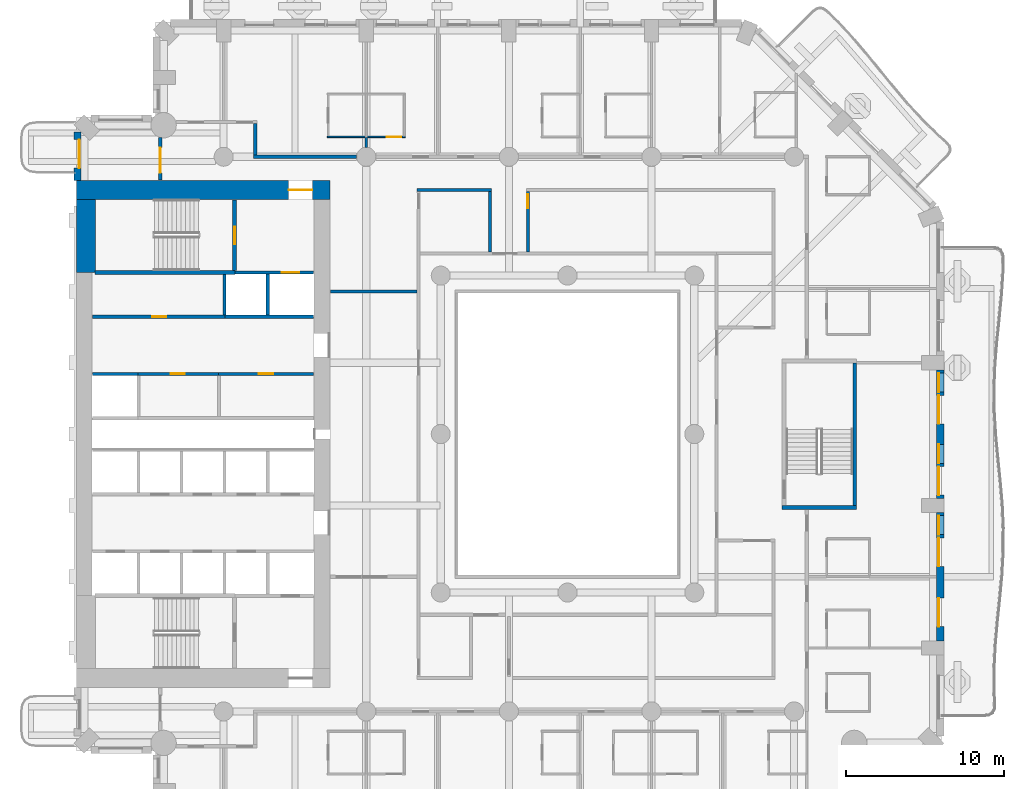
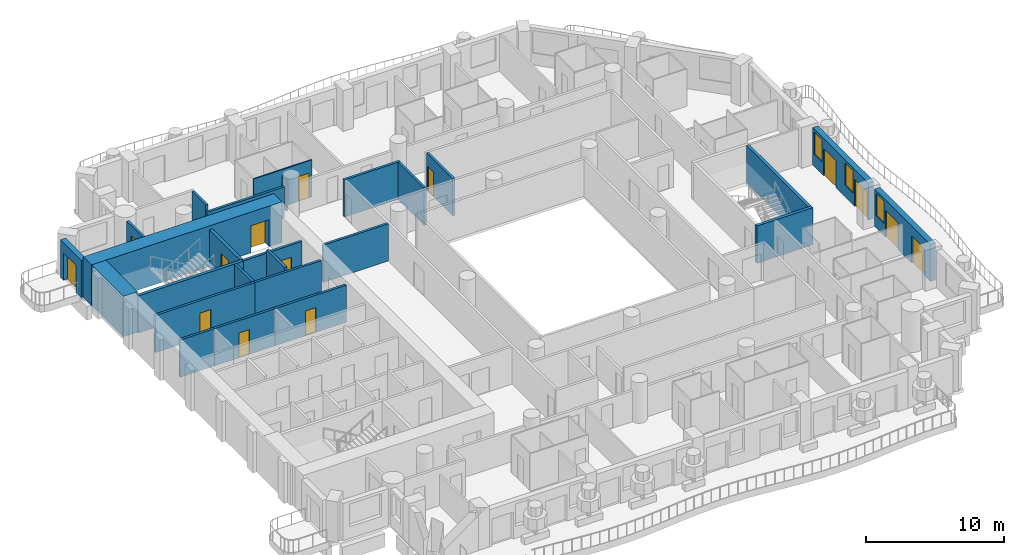
# One storey, part 7 of 20: 26 walls, 14 doors, 3 windows, 17 openings.
"""IFC4 building model written with IfcOpenShell, lengths in metres."""

from ifc_helpers import new_model, si_unit, direction, frame, frame_2d, origin, place, context, subcontext, project, spatial, rectangle, extrude, material, layer, layer_set, type_object, element, fill, save


model = new_model("IFC4")

# Units and contexts
model_context = context("Model", 3, precision=1e-05, world=origin(), true_north=direction((0.0, 1.0)))
body_context = subcontext(model_context, "Body", "Model", "MODEL_VIEW")
ifc_project = project(units=[si_unit("LENGTHUNIT", "METRE"), si_unit("AREAUNIT", "SQUARE_METRE"), si_unit("VOLUMEUNIT", "CUBIC_METRE"), si_unit("PLANEANGLEUNIT", "RADIAN"), si_unit("MASSUNIT", "GRAM", prefix="KILO")], contexts=[model_context])

# Site, building, storey
site_placement = place(None, origin())
site = spatial("IfcSite", under=ifc_project, at=site_placement, CompositionType="ELEMENT")
building_placement = place(site_placement, origin())
building = spatial("IfcBuilding", under=site, at=building_placement, Name="Cypress Arch Tower", CompositionType="ELEMENT")
storey_placement = place(building_placement, frame((0.0, 0.0, 62.699951171875)))
storey = spatial("IfcBuildingStorey", under=building, at=storey_placement, Name="L09", CompositionType="ELEMENT", Elevation=62.699951171875)

# Wall, opening, door
ifc_material_1 = material(Name="Brick (red buff blend)", Category="masonry")
ifc_layer_1 = layer(ifc_material_1, 0.449951171875)
ifc_layer_set_1 = layer_set([ifc_layer_1], Name="Brick pier and spandrel wall BW450")
wall_type_1 = type_object("IfcWallType", Name="Brick pier and spandrel wall BW450", PredefinedType="SOLIDWALL", material=ifc_layer_set_1)
wall_1_placement = place(storey_placement, frame((-29.925048828125, 19.063720703125, 0.0), z_axis=(0.0, 0.0, 1.0), x_axis=(0.0, -1.0, 0.0)))
wall_1 = element("IfcWall", 1, at=wall_1_placement, inside=storey, type_object=wall_type_1, Name="Brick wall L09 A00.0", PredefinedType="SOLIDWALL", context=body_context, shape_type="SweptSolid", body=[
    extrude(rectangle(XDim=3.063720703125, YDim=0.449951171875, at=frame_2d((1.53173828125, 0.0))), origin(), (0.0, 0.0, 1.0), 3.300048828125),
])
opening_1_placement = place(wall_1_placement, frame((0.481689453125, 0.0, 0.0)))
opening_1 = element("IfcOpeningElement", 2, at=opening_1_placement, cuts=wall_1, Name="Opening D-L09-A00.0.1", PredefinedType="OPENING", context=body_context, shape_type="SweptSolid", body=[
    extrude(rectangle(XDim=1.800048828125, YDim=2.39990234375, at=frame_2d((0.89990234375, 1.199951171875))), frame((0.0, 0.23486328125, 0.0), z_axis=(0.0, -1.0, 0.0), x_axis=(1.0, 0.0, 0.0)), (0.0, 0.0, 1.0), 0.469970703125),
])
ifc_material_2 = material(Name="Anodised aluminium, bronze finish, laminated low-emissivity double glazing, large-missile impact rated", Category="aluminium")
door_type_1 = type_object("IfcDoorType", Name="Balcony sliding door 1800x2400", OperationType="SLIDING_TO_LEFT", PredefinedType="DOOR", material=ifc_material_2)
door_1_placement = place(opening_1_placement, origin())
door_1 = element("IfcDoor", 3, at=door_1_placement, inside=storey, type_object=door_type_1, Name="Balcony door L09 A00.0.1", OperationType="SLIDING_TO_LEFT", OverallHeight=2.39990234375, OverallWidth=1.800048828125, PredefinedType="DOOR", context=body_context, shape_type="SweptSolid", body=[
    extrude(rectangle(XDim=1.800048828125, YDim=2.39990234375, at=frame_2d((0.89990234375, 1.199951171875))), frame((0.0, 0.1298828125, 0.0), z_axis=(0.0, -1.0, 0.0), x_axis=(1.0, 0.0, 0.0)), (0.0, 0.0, 1.0), 0.050048828125),
])
fill(opening_1, door_1)

# Wall, openings, doors, window
wall_2_placement = place(storey_placement, frame((24.52490234375, -13.050048828125, 0.0), z_axis=(0.0, 0.0, 1.0), x_axis=(0.0, 1.0, 0.0)))
wall_2 = element("IfcWall", 4, at=wall_2_placement, inside=storey, type_object=wall_type_1, Name="Brick wall L09 A06.1", PredefinedType="SOLIDWALL", context=body_context, shape_type="SweptSolid", body=[
    extrude(rectangle(XDim=8.10009765625, YDim=0.449951171875, at=frame_2d((4.050048828125, 0.0))), origin(), (0.0, 0.0, 1.0), 3.300048828125),
])
opening_2_placement = place(wall_2_placement, frame((0.89990234375, 0.0, 0.0)))
opening_2 = element("IfcOpeningElement", 5, at=opening_2_placement, cuts=wall_2, Name="Opening D-L09-A06.1.1", PredefinedType="OPENING", context=body_context, shape_type="SweptSolid", body=[
    extrude(rectangle(XDim=1.800048828125, YDim=2.39990234375, at=frame_2d((0.89990234375, 1.199951171875))), frame((0.0, 0.23486328125, 0.0), z_axis=(0.0, -1.0, 0.0), x_axis=(1.0, 0.0, 0.0)), (0.0, 0.0, 1.0), 0.469970703125),
])
opening_3_placement = place(wall_2_placement, frame((4.699951171875, 0.0, 0.0)))
opening_3 = element("IfcOpeningElement", 6, at=opening_3_placement, cuts=wall_2, Name="Opening D-L09-A06.1.2", PredefinedType="OPENING", context=body_context, shape_type="SweptSolid", body=[
    extrude(rectangle(XDim=1.800048828125, YDim=2.39990234375, at=frame_2d((0.89990234375, 1.199951171875))), frame((0.0, 0.23486328125, 0.0), z_axis=(0.0, -1.0, 0.0), x_axis=(1.0, 0.0, 0.0)), (0.0, 0.0, 1.0), 0.469970703125),
])
opening_4_placement = place(wall_2_placement, frame((6.699951171875, 0.0, 1.050048828125)))
opening_4 = element("IfcOpeningElement", 7, at=opening_4_placement, cuts=wall_2, Name="Opening W120HD", PredefinedType="OPENING", context=body_context, shape_type="SweptSolid", body=[
    extrude(rectangle(XDim=1.199951171875, YDim=2.0, at=frame_2d((0.60009765625, 1.0))), frame((0.0, 0.23486328125, 0.0), z_axis=(0.0, -1.0, 0.0), x_axis=(1.0, 0.0, 0.0)), (0.0, 0.0, 1.0), 0.469970703125),
])
door_2_placement = place(opening_2_placement, origin())
door_2 = element("IfcDoor", 8, at=door_2_placement, inside=storey, type_object=door_type_1, Name="Balcony door L09 A06.1.1", OperationType="SLIDING_TO_LEFT", OverallHeight=2.39990234375, OverallWidth=1.800048828125, PredefinedType="DOOR", context=body_context, shape_type="SweptSolid", body=[
    extrude(rectangle(XDim=1.800048828125, YDim=2.39990234375, at=frame_2d((0.89990234375, 1.199951171875))), frame((0.0, 0.1298828125, 0.0), z_axis=(0.0, -1.0, 0.0), x_axis=(1.0, 0.0, 0.0)), (0.0, 0.0, 1.0), 0.050048828125),
])
fill(opening_2, door_2)
door_3_placement = place(opening_3_placement, origin())
door_3 = element("IfcDoor", 9, at=door_3_placement, inside=storey, type_object=door_type_1, Name="Balcony door L09 A06.1.2", OperationType="SLIDING_TO_LEFT", OverallHeight=2.39990234375, OverallWidth=1.800048828125, PredefinedType="DOOR", context=body_context, shape_type="SweptSolid", body=[
    extrude(rectangle(XDim=1.800048828125, YDim=2.39990234375, at=frame_2d((0.89990234375, 1.199951171875))), frame((0.0, 0.1298828125, 0.0), z_axis=(0.0, -1.0, 0.0), x_axis=(1.0, 0.0, 0.0)), (0.0, 0.0, 1.0), 0.050048828125),
])
fill(opening_3, door_3)
ifc_material_3 = material(Name="Anodised aluminium, bronze finish, laminated low-emissivity double glazing, large-missile impact rated", Category="aluminium")
window_type = type_object("IfcWindowType", Name="Window Hotel 1200x2000 debris-rated", PartitioningType="SINGLE_PANEL", PredefinedType="WINDOW", material=ifc_material_3)
window_1_placement = place(opening_4_placement, origin())
window_1 = element("IfcWindow", 10, at=window_1_placement, inside=storey, type_object=window_type, Name="Window L09 A06.1.2", OverallHeight=2.0, OverallWidth=1.199951171875, PartitioningType="SINGLE_PANEL", PredefinedType="WINDOW", context=body_context, shape_type="SweptSolid", body=[
    extrude(rectangle(XDim=1.199951171875, YDim=2.0, at=frame_2d((0.60009765625, 1.0))), frame((0.0, 0.135009765625, 0.0), z_axis=(0.0, -1.0, 0.0), x_axis=(1.0, 0.0, 0.0)), (0.0, 0.0, 1.0), 0.06005859375),
])
fill(opening_4, window_1)

# Wall, openings, doors, windows
wall_3_placement = place(storey_placement, frame((24.52490234375, -4.050048828125, 0.0), z_axis=(0.0, 0.0, 1.0), x_axis=(0.0, 1.0, 0.0)))
wall_3 = element("IfcWall", 11, at=wall_3_placement, inside=storey, type_object=wall_type_1, Name="Brick wall L09 A06.2", PredefinedType="SOLIDWALL", context=body_context, shape_type="SweptSolid", body=[
    extrude(rectangle(XDim=8.10009765625, YDim=0.449951171875, at=frame_2d((4.050048828125, 0.0))), origin(), (0.0, 0.0, 1.0), 3.300048828125),
])
opening_5_placement = place(wall_3_placement, frame((0.199951171875, 0.0, 0.0)))
opening_5 = element("IfcOpeningElement", 12, at=opening_5_placement, cuts=wall_3, Name="Opening D-L09-A06.2.1", PredefinedType="OPENING", context=body_context, shape_type="SweptSolid", body=[
    extrude(rectangle(XDim=1.800048828125, YDim=2.39990234375, at=frame_2d((0.89990234375, 1.199951171875))), frame((0.0, 0.23486328125, 0.0), z_axis=(0.0, -1.0, 0.0), x_axis=(1.0, 0.0, 0.0)), (0.0, 0.0, 1.0), 0.469970703125),
])
opening_6_placement = place(wall_3_placement, frame((2.199951171875, 0.0, 1.050048828125)))
opening_6 = element("IfcOpeningElement", 13, at=opening_6_placement, cuts=wall_3, Name="Opening W120HD", PredefinedType="OPENING", context=body_context, shape_type="SweptSolid", body=[
    extrude(rectangle(XDim=1.199951171875, YDim=2.0, at=frame_2d((0.60009765625, 1.0))), frame((0.0, 0.23486328125, 0.0), z_axis=(0.0, -1.0, 0.0), x_axis=(1.0, 0.0, 0.0)), (0.0, 0.0, 1.0), 0.469970703125),
])
opening_7_placement = place(wall_3_placement, frame((4.699951171875, 0.0, 0.0)))
opening_7 = element("IfcOpeningElement", 14, at=opening_7_placement, cuts=wall_3, Name="Opening D-L09-A06.2.2", PredefinedType="OPENING", context=body_context, shape_type="SweptSolid", body=[
    extrude(rectangle(XDim=1.800048828125, YDim=2.39990234375, at=frame_2d((0.89990234375, 1.199951171875))), frame((0.0, 0.23486328125, 0.0), z_axis=(0.0, -1.0, 0.0), x_axis=(1.0, 0.0, 0.0)), (0.0, 0.0, 1.0), 0.469970703125),
])
opening_8_placement = place(wall_3_placement, frame((6.699951171875, 0.0, 1.050048828125)))
opening_8 = element("IfcOpeningElement", 15, at=opening_8_placement, cuts=wall_3, Name="Opening W120HD", PredefinedType="OPENING", context=body_context, shape_type="SweptSolid", body=[
    extrude(rectangle(XDim=1.199951171875, YDim=2.0, at=frame_2d((0.60009765625, 1.0))), frame((0.0, 0.23486328125, 0.0), z_axis=(0.0, -1.0, 0.0), x_axis=(1.0, 0.0, 0.0)), (0.0, 0.0, 1.0), 0.469970703125),
])
door_4_placement = place(opening_5_placement, origin())
door_4 = element("IfcDoor", 16, at=door_4_placement, inside=storey, type_object=door_type_1, Name="Balcony door L09 A06.2.1", OperationType="SLIDING_TO_LEFT", OverallHeight=2.39990234375, OverallWidth=1.800048828125, PredefinedType="DOOR", context=body_context, shape_type="SweptSolid", body=[
    extrude(rectangle(XDim=1.800048828125, YDim=2.39990234375, at=frame_2d((0.89990234375, 1.199951171875))), frame((0.0, 0.1298828125, 0.0), z_axis=(0.0, -1.0, 0.0), x_axis=(1.0, 0.0, 0.0)), (0.0, 0.0, 1.0), 0.050048828125),
])
fill(opening_5, door_4)
door_5_placement = place(opening_7_placement, origin())
door_5 = element("IfcDoor", 17, at=door_5_placement, inside=storey, type_object=door_type_1, Name="Balcony door L09 A06.2.2", OperationType="SLIDING_TO_LEFT", OverallHeight=2.39990234375, OverallWidth=1.800048828125, PredefinedType="DOOR", context=body_context, shape_type="SweptSolid", body=[
    extrude(rectangle(XDim=1.800048828125, YDim=2.39990234375, at=frame_2d((0.89990234375, 1.199951171875))), frame((0.0, 0.1298828125, 0.0), z_axis=(0.0, -1.0, 0.0), x_axis=(1.0, 0.0, 0.0)), (0.0, 0.0, 1.0), 0.050048828125),
])
fill(opening_7, door_5)
window_2_placement = place(opening_6_placement, origin())
window_2 = element("IfcWindow", 18, at=window_2_placement, inside=storey, type_object=window_type, Name="Window L09 A06.2.1", OverallHeight=2.0, OverallWidth=1.199951171875, PartitioningType="SINGLE_PANEL", PredefinedType="WINDOW", context=body_context, shape_type="SweptSolid", body=[
    extrude(rectangle(XDim=1.199951171875, YDim=2.0, at=frame_2d((0.60009765625, 1.0))), frame((0.0, 0.135009765625, 0.0), z_axis=(0.0, -1.0, 0.0), x_axis=(1.0, 0.0, 0.0)), (0.0, 0.0, 1.0), 0.06005859375),
])
fill(opening_6, window_2)
window_3_placement = place(opening_8_placement, origin())
window_3 = element("IfcWindow", 19, at=window_3_placement, inside=storey, type_object=window_type, Name="Window L09 A06.2.2", OverallHeight=2.0, OverallWidth=1.199951171875, PartitioningType="SINGLE_PANEL", PredefinedType="WINDOW", context=body_context, shape_type="SweptSolid", body=[
    extrude(rectangle(XDim=1.199951171875, YDim=2.0, at=frame_2d((0.60009765625, 1.0))), frame((0.0, 0.135009765625, 0.0), z_axis=(0.0, -1.0, 0.0), x_axis=(1.0, 0.0, 0.0)), (0.0, 0.0, 1.0), 0.06005859375),
])
fill(opening_8, window_3)

# Wall, opening, door
ifc_material_4 = material(Name="Concrete C80/95", Category="concrete")
ifc_layer_2 = layer(ifc_material_4, 1.199951171875)
ifc_layer_set_2 = layer_set([ifc_layer_2], Name="Core wall CW1200 C80/95")
wall_type_2 = type_object("IfcWallType", Name="Core wall CW1200 C80/95", PredefinedType="SHEAR", material=ifc_layer_set_2)
wall_4_placement = place(storey_placement, frame((-30.0, 15.39990234375, 0.0), z_axis=(0.0, 0.0, 1.0), x_axis=(1.0, 0.0, 0.0)))
wall_4 = element("IfcWall", 20, at=wall_4_placement, inside=storey, type_object=wall_type_2, Name="Core wall", PredefinedType="SHEAR", context=body_context, shape_type="SweptSolid", body=[
    extrude(rectangle(XDim=16.0, YDim=1.199951171875, at=frame_2d((8.0, 0.0))), origin(), (0.0, 0.0, 1.0), 3.60009765625),
])
opening_9_placement = place(wall_4_placement, frame((13.39990234375, 0.0, 0.0)))
opening_9 = element("IfcOpeningElement", 21, at=opening_9_placement, cuts=wall_4, Name="Opening D07", PredefinedType="OPENING", context=body_context, shape_type="SweptSolid", body=[
    extrude(rectangle(XDim=1.5, YDim=2.39990234375, at=frame_2d((0.75, 1.199951171875))), frame((0.0, 0.60986328125, 0.0), z_axis=(0.0, -1.0, 0.0), x_axis=(1.0, 0.0, 0.0)), (0.0, 0.0, 1.0), 1.219970703125),
])
ifc_material_5 = material(Name="Steel framed glazed door, fire resisting", Category="steel")
door_type_2 = type_object("IfcDoorType", Name="Lobby door D07 1500x2400", OperationType="DOUBLE_DOOR_SINGLE_SWING", PredefinedType="DOOR", material=ifc_material_5)
door_6_placement = place(opening_9_placement, origin())
door_6 = element("IfcDoor", 22, at=door_6_placement, inside=storey, type_object=door_type_2, Name="Lobby door", OperationType="DOUBLE_DOOR_SINGLE_SWING", OverallHeight=2.39990234375, OverallWidth=1.5, PredefinedType="DOOR", context=body_context, shape_type="SweptSolid", body=[
    extrude(rectangle(XDim=1.5, YDim=2.39990234375, at=frame_2d((0.75, 1.199951171875))), frame((0.0, 0.02490234375, 0.0), z_axis=(0.0, -1.0, 0.0), x_axis=(1.0, 0.0, 0.0)), (0.0, 0.0, 1.0), 0.050048828125),
])
fill(opening_9, door_6)

# Wall
wall_5_placement = place(storey_placement, frame((-29.39990234375, 10.199951171875, 0.0), z_axis=(0.0, 0.0, 1.0), x_axis=(0.0, 1.0, 0.0)))
element("IfcWall", 23, at=wall_5_placement, inside=storey, type_object=wall_type_2, Name="Core wall", PredefinedType="SHEAR", context=body_context, shape_type="SweptSolid", body=[
    extrude(rectangle(XDim=4.60009765625, YDim=1.199951171875, at=frame_2d((2.300048828125, 0.0))), origin(), (0.0, 0.0, 1.0), 3.60009765625),
])

# Wall, opening, door
ifc_material_6 = material(Name="Concrete blockwork, plastered, rated", Category="masonry")
ifc_layer_3 = layer(ifc_material_6, 0.199951171875)
ifc_layer_set_3 = layer_set([ifc_layer_3], Name="Corridor wall FW200")
wall_type_3 = type_object("IfcWallType", Name="Corridor wall FW200", PredefinedType="PARTITIONING", material=ifc_layer_set_3)
wall_6_placement = place(storey_placement, frame((-28.969970703125, 7.39990234375, 0.0), z_axis=(0.0, 0.0, 1.0), x_axis=(1.0, 0.0, 0.0)))
wall_6 = element("IfcWall", 24, at=wall_6_placement, inside=storey, type_object=wall_type_3, Name="Corridor wall", PredefinedType="PARTITIONING", context=body_context, shape_type="SweptSolid", body=[
    extrude(rectangle(XDim=8.349853515625, YDim=0.199951171875, at=frame_2d((4.1748046875, 0.0))), origin(), (0.0, 0.0, 1.0), 3.300048828125),
])
opening_10_placement = place(wall_6_placement, frame((3.75, 0.0, 0.0)))
opening_10 = element("IfcOpeningElement", 25, at=opening_10_placement, cuts=wall_6, Name="Opening D05", PredefinedType="OPENING", context=body_context, shape_type="SweptSolid", body=[
    extrude(rectangle(XDim=0.89990234375, YDim=2.199951171875, at=frame_2d((0.449951171875, 1.10009765625))), frame((0.0, 0.10986328125, 0.0), z_axis=(0.0, -1.0, 0.0), x_axis=(1.0, 0.0, 0.0)), (0.0, 0.0, 1.0), 0.219970703125),
])
ifc_material_7 = material(Name="Timber flush door", Category="wood")
door_type_3 = type_object("IfcDoorType", Name="Service door D05 900x2200", OperationType="SINGLE_SWING_LEFT", PredefinedType="DOOR", material=ifc_material_7)
door_7_placement = place(opening_10_placement, origin())
door_7 = element("IfcDoor", 26, at=door_7_placement, inside=storey, type_object=door_type_3, Name="Service door", OperationType="SINGLE_SWING_RIGHT", OverallHeight=2.199951171875, OverallWidth=0.89990234375, PredefinedType="DOOR", context=body_context, shape_type="SweptSolid", body=[
    extrude(rectangle(XDim=0.89990234375, YDim=2.199951171875, at=frame_2d((0.449951171875, 1.10009765625))), frame((0.0, 0.02490234375, 0.0), z_axis=(0.0, -1.0, 0.0), x_axis=(1.0, 0.0, 0.0)), (0.0, 0.0, 1.0), 0.050048828125),
])
fill(opening_10, door_7)

wall_7_placement = place(storey_placement, frame((-26.10009765625, 3.800048828125, 0.0), z_axis=(0.0, 0.0, 1.0), x_axis=(1.0, 0.0, 0.0)))
wall_7 = element("IfcWall", 27, at=wall_7_placement, inside=storey, type_object=wall_type_3, Name="Corridor wall", PredefinedType="PARTITIONING", context=body_context, shape_type="SweptSolid", body=[
    extrude(rectangle(XDim=5.080078125, YDim=0.199951171875, at=frame_2d((2.5400390625, 0.0))), origin(), (0.0, 0.0, 1.0), 3.300048828125),
])
opening_11_placement = place(wall_7_placement, frame((2.050048828125, 0.0, 0.0)))
opening_11 = element("IfcOpeningElement", 28, at=opening_11_placement, cuts=wall_7, Name="Opening D05", PredefinedType="OPENING", context=body_context, shape_type="SweptSolid", body=[
    extrude(rectangle(XDim=0.89990234375, YDim=2.199951171875, at=frame_2d((0.449951171875, 1.10009765625))), frame((0.0, 0.10986328125, 0.0), z_axis=(0.0, -1.0, 0.0), x_axis=(1.0, 0.0, 0.0)), (0.0, 0.0, 1.0), 0.219970703125),
])
door_8_placement = place(opening_11_placement, origin())
door_8 = element("IfcDoor", 29, at=door_8_placement, inside=storey, type_object=door_type_3, Name="Service door", OperationType="SINGLE_SWING_RIGHT", OverallHeight=2.199951171875, OverallWidth=0.89990234375, PredefinedType="DOOR", context=body_context, shape_type="SweptSolid", body=[
    extrude(rectangle(XDim=0.89990234375, YDim=2.199951171875, at=frame_2d((0.449951171875, 1.10009765625))), frame((0.0, 0.02490234375, 0.0), z_axis=(0.0, -1.0, 0.0), x_axis=(1.0, 0.0, 0.0)), (0.0, 0.0, 1.0), 0.050048828125),
])
fill(opening_11, door_8)

wall_8_placement = place(storey_placement, frame((-24.699951171875, 16.030029296875, 0.0), z_axis=(0.0, 0.0, 1.0), x_axis=(0.0, 1.0, 0.0)))
wall_8 = element("IfcWall", 30, at=wall_8_placement, inside=storey, type_object=wall_type_3, Name="Corridor wall", PredefinedType="PARTITIONING", context=body_context, shape_type="SweptSolid", body=[
    extrude(rectangle(XDim=2.670166015625, YDim=0.199951171875, at=frame_2d((1.3349609375, 0.0))), origin(), (0.0, 0.0, 1.0), 3.300048828125),
])
opening_12_placement = place(wall_8_placement, frame((0.449951171875, 0.0, 0.0)))
opening_12 = element("IfcOpeningElement", 31, at=opening_12_placement, cuts=wall_8, Name="Opening D10", PredefinedType="OPENING", context=body_context, shape_type="SweptSolid", body=[
    extrude(rectangle(XDim=1.60009765625, YDim=2.39990234375, at=frame_2d((0.800048828125, 1.199951171875))), frame((0.0, 0.10986328125, 0.0), z_axis=(0.0, -1.0, 0.0), x_axis=(1.0, 0.0, 0.0)), (0.0, 0.0, 1.0), 0.219970703125),
])
ifc_material_8 = material(Name="Black aluminium glazed door", Category="aluminium")
door_type_4 = type_object("IfcDoorType", Name="Amenity door D10 1600x2400", OperationType="DOUBLE_DOOR_SINGLE_SWING", PredefinedType="DOOR", material=ifc_material_8)
door_9_placement = place(opening_12_placement, origin())
door_9 = element("IfcDoor", 32, at=door_9_placement, inside=storey, type_object=door_type_4, Name="Amenity door", OperationType="DOUBLE_DOOR_SINGLE_SWING", OverallHeight=2.39990234375, OverallWidth=1.60009765625, PredefinedType="DOOR", context=body_context, shape_type="SweptSolid", body=[
    extrude(rectangle(XDim=1.60009765625, YDim=2.39990234375, at=frame_2d((0.800048828125, 1.199951171875))), frame((0.0, 0.02490234375, 0.0), z_axis=(0.0, -1.0, 0.0), x_axis=(1.0, 0.0, 0.0)), (0.0, 0.0, 1.0), 0.050048828125),
])
fill(opening_12, door_9)

# Walls
wall_9_placement = place(storey_placement, frame((-18.699951171875, 17.60009765625, 0.0), z_axis=(0.0, 0.0, 1.0), x_axis=(0.0, 1.0, 0.0)))
element("IfcWall", 33, at=wall_9_placement, inside=storey, type_object=wall_type_3, Name="Corridor wall", PredefinedType="PARTITIONING", context=body_context, shape_type="SweptSolid", body=[
    extrude(rectangle(XDim=2.0, YDim=0.199951171875, at=frame_2d((1.0, 0.0))), origin(), (0.0, 0.0, 1.0), 3.300048828125),
])
wall_10_placement = place(storey_placement, frame((-18.800048828125, 17.5, 0.0), z_axis=(0.0, 0.0, 1.0), x_axis=(1.0, 0.0, 0.0)))
element("IfcWall", 34, at=wall_10_placement, inside=storey, type_object=wall_type_3, Name="Corridor wall", PredefinedType="PARTITIONING", context=body_context, shape_type="SweptSolid", body=[
    extrude(rectangle(XDim=6.5, YDim=0.199951171875, at=frame_2d((3.25, 0.0))), origin(), (0.0, 0.0, 1.0), 2.75),
])
wall_11_placement = place(storey_placement, frame((-13.969970703125, 9.0, 0.0), z_axis=(0.0, 0.0, 1.0), x_axis=(1.0, 0.0, 0.0)))
element("IfcWall", 35, at=wall_11_placement, inside=storey, type_object=wall_type_3, Name="Corridor wall", PredefinedType="PARTITIONING", context=body_context, shape_type="SweptSolid", body=[
    extrude(rectangle(XDim=5.469970703125, YDim=0.199951171875, at=frame_2d((2.73486328125, 0.0))), origin(), (0.0, 0.0, 1.0), 3.300048828125),
])
wall_12_placement = place(storey_placement, frame((-8.5, 15.39990234375, 0.0), z_axis=(0.0, 0.0, 1.0), x_axis=(1.0, 0.0, 0.0)))
element("IfcWall", 36, at=wall_12_placement, inside=storey, type_object=wall_type_3, Name="Corridor wall", PredefinedType="PARTITIONING", context=body_context, shape_type="SweptSolid", body=[
    extrude(rectangle(XDim=4.699951171875, YDim=0.199951171875, at=frame_2d((2.35009765625, 0.0))), origin(), (0.0, 0.0, 1.0), 3.300048828125),
])
wall_13_placement = place(storey_placement, frame((-3.89990234375, 11.5, 0.0), z_axis=(0.0, 0.0, 1.0), x_axis=(0.0, 1.0, 0.0)))
element("IfcWall", 37, at=wall_13_placement, inside=storey, type_object=wall_type_3, Name="Corridor wall", PredefinedType="PARTITIONING", context=body_context, shape_type="SweptSolid", body=[
    extrude(rectangle(XDim=3.800048828125, YDim=0.199951171875, at=frame_2d((1.89990234375, 0.0))), origin(), (0.0, 0.0, 1.0), 3.300048828125),
])

# Wall, opening, door
wall_14_placement = place(storey_placement, frame((-1.5, 11.5, 0.0), z_axis=(0.0, 0.0, 1.0), x_axis=(0.0, 1.0, 0.0)))
wall_14 = element("IfcWall", 38, at=wall_14_placement, inside=storey, type_object=wall_type_3, Name="Corridor wall", PredefinedType="PARTITIONING", context=body_context, shape_type="SweptSolid", body=[
    extrude(rectangle(XDim=3.800048828125, YDim=0.199951171875, at=frame_2d((1.89990234375, 0.0))), origin(), (0.0, 0.0, 1.0), 3.300048828125),
])
opening_13_placement = place(wall_14_placement, frame((2.75, 0.0, 0.0)))
opening_13 = element("IfcOpeningElement", 39, at=opening_13_placement, cuts=wall_14, Name="Opening D05", PredefinedType="OPENING", context=body_context, shape_type="SweptSolid", body=[
    extrude(rectangle(XDim=0.89990234375, YDim=2.199951171875, at=frame_2d((0.449951171875, 1.10009765625))), frame((0.0, 0.10986328125, 0.0), z_axis=(0.0, -1.0, 0.0), x_axis=(1.0, 0.0, 0.0)), (0.0, 0.0, 1.0), 0.219970703125),
])
door_10_placement = place(opening_13_placement, origin())
door_10 = element("IfcDoor", 40, at=door_10_placement, inside=storey, type_object=door_type_3, Name="Service door", OperationType="SINGLE_SWING_LEFT", OverallHeight=2.199951171875, OverallWidth=0.89990234375, PredefinedType="DOOR", context=body_context, shape_type="SweptSolid", body=[
    extrude(rectangle(XDim=0.89990234375, YDim=2.199951171875, at=frame_2d((0.449951171875, 1.10009765625))), frame((0.0, 0.02490234375, 0.0), z_axis=(0.0, -1.0, 0.0), x_axis=(1.0, 0.0, 0.0)), (0.0, 0.0, 1.0), 0.050048828125),
])
fill(opening_13, door_10)

# Wall
ifc_material_9 = material(Name="Blockwork, plastered both sides", Category="masonry")
ifc_layer_4 = layer(ifc_material_9, 0.14990234375)
ifc_layer_set_4 = layer_set([ifc_layer_4], Name="Partition PW150")
wall_type_4 = type_object("IfcWallType", Name="Partition PW150", PredefinedType="PARTITIONING", material=ifc_layer_set_4)
wall_15_placement = place(storey_placement, frame((-11.699951171875, 18.10009765625, 0.0), z_axis=(0.0, 0.0, 1.0), x_axis=(0.0, 1.0, 0.0)))
element("IfcWall", 41, at=wall_15_placement, inside=storey, type_object=wall_type_4, Name="Partition", PredefinedType="PARTITIONING", context=body_context, shape_type="SweptSolid", body=[
    extrude(rectangle(XDim=0.6298828125, YDim=0.14990234375, at=frame_2d((0.31494140625, 0.0))), origin(), (0.0, 0.0, 1.0), 2.75),
])

# Wall, opening, door
ifc_material_10 = material(Name="Reinforced blockwork, plastered, rated", Category="masonry")
ifc_layer_5 = layer(ifc_material_10, 0.199951171875)
ifc_layer_set_5 = layer_set([ifc_layer_5], Name="Plant and riser wall PL200")
wall_type_5 = type_object("IfcWallType", Name="Plant and riser wall PL200", PredefinedType="PARTITIONING", material=ifc_layer_set_5)
wall_16_placement = place(storey_placement, frame((-21.02001953125, 3.800048828125, 0.0), z_axis=(0.0, 0.0, 1.0), x_axis=(1.0, 0.0, 0.0)))
wall_16 = element("IfcWall", 42, at=wall_16_placement, inside=storey, type_object=wall_type_5, Name="Plant and riser wall", PredefinedType="PARTITIONING", context=body_context, shape_type="SweptSolid", body=[
    extrude(rectangle(XDim=5.989990234375, YDim=0.199951171875, at=frame_2d((2.9951171875, 0.0))), origin(), (0.0, 0.0, 1.0), 3.300048828125),
])
opening_14_placement = place(wall_16_placement, frame((2.550048828125, 0.0, 0.0)))
opening_14 = element("IfcOpeningElement", 43, at=opening_14_placement, cuts=wall_16, Name="Opening D05", PredefinedType="OPENING", context=body_context, shape_type="SweptSolid", body=[
    extrude(rectangle(XDim=0.89990234375, YDim=2.199951171875, at=frame_2d((0.449951171875, 1.10009765625))), frame((0.0, 0.10986328125, 0.0), z_axis=(0.0, -1.0, 0.0), x_axis=(1.0, 0.0, 0.0)), (0.0, 0.0, 1.0), 0.219970703125),
])
door_11_placement = place(opening_14_placement, origin())
door_11 = element("IfcDoor", 44, at=door_11_placement, inside=storey, type_object=door_type_3, Name="Service door", OperationType="SINGLE_SWING_RIGHT", OverallHeight=2.199951171875, OverallWidth=0.89990234375, PredefinedType="DOOR", context=body_context, shape_type="SweptSolid", body=[
    extrude(rectangle(XDim=0.89990234375, YDim=2.199951171875, at=frame_2d((0.449951171875, 1.10009765625))), frame((0.0, 0.02490234375, 0.0), z_axis=(0.0, -1.0, 0.0), x_axis=(1.0, 0.0, 0.0)), (0.0, 0.0, 1.0), 0.050048828125),
])
fill(opening_14, door_11)

# Walls
ifc_material_11 = material(Name="Concrete C50/60", Category="concrete")
ifc_layer_6 = layer(ifc_material_11, 0.199951171875)
ifc_layer_set_6 = layer_set([ifc_layer_6], Name="Shaft wall SH200")
wall_type_6 = type_object("IfcWallType", Name="Shaft wall SH200", PredefinedType="SHEAR", material=ifc_layer_set_6)
wall_17_placement = place(storey_placement, frame((-28.969970703125, 3.800048828125, 0.0), z_axis=(0.0, 0.0, 1.0), x_axis=(1.0, 0.0, 0.0)))
element("IfcWall", 45, at=wall_17_placement, inside=storey, type_object=wall_type_6, Name="Shaft wall", PredefinedType="SHEAR", context=body_context, shape_type="SweptSolid", body=[
    extrude(rectangle(XDim=2.869873046875, YDim=0.199951171875, at=frame_2d((1.43505859375, 0.0))), origin(), (0.0, 0.0, 1.0), 3.300048828125),
])
wall_18_placement = place(storey_placement, frame((-20.639892578125, 7.5, 0.0), z_axis=(0.0, 0.0, 1.0), x_axis=(0.0, 1.0, 0.0)))
element("IfcWall", 46, at=wall_18_placement, inside=storey, type_object=wall_type_6, Name="Shaft wall", PredefinedType="SHEAR", context=body_context, shape_type="SweptSolid", body=[
    extrude(rectangle(XDim=2.574951171875, YDim=0.199951171875, at=frame_2d((1.28759765625, 0.0))), origin(), (0.0, 0.0, 1.0), 3.300048828125),
])
wall_19_placement = place(storey_placement, frame((-20.6201171875, 7.39990234375, 0.0), z_axis=(0.0, 0.0, 1.0), x_axis=(1.0, 0.0, 0.0)))
element("IfcWall", 47, at=wall_19_placement, inside=storey, type_object=wall_type_6, Name="Shaft wall", PredefinedType="SHEAR", context=body_context, shape_type="SweptSolid", body=[
    extrude(rectangle(XDim=5.590087890625, YDim=0.199951171875, at=frame_2d((2.794921875, 0.0))), origin(), (0.0, 0.0, 1.0), 3.300048828125),
])

# Wall, opening, door
wall_20_placement = place(storey_placement, frame((-19.97998046875, 10.199951171875, 0.0), z_axis=(0.0, 0.0, 1.0), x_axis=(1.0, 0.0, 0.0)))
wall_20 = element("IfcWall", 48, at=wall_20_placement, inside=storey, type_object=wall_type_6, Name="Shaft wall", PredefinedType="SHEAR", context=body_context, shape_type="SweptSolid", body=[
    extrude(rectangle(XDim=4.949951171875, YDim=0.199951171875, at=frame_2d((2.47509765625, 0.0))), origin(), (0.0, 0.0, 1.0), 3.300048828125),
])
opening_15_placement = place(wall_20_placement, frame((2.949951171875, 0.0, 0.0)))
opening_15 = element("IfcOpeningElement", 49, at=opening_15_placement, cuts=wall_20, Name="Opening LD-FL2", PredefinedType="OPENING", context=body_context, shape_type="SweptSolid", body=[
    extrude(rectangle(XDim=1.10009765625, YDim=2.199951171875, at=frame_2d((0.550048828125, 1.10009765625))), frame((0.0, 0.10986328125, 0.0), z_axis=(0.0, -1.0, 0.0), x_axis=(1.0, 0.0, 0.0)), (0.0, 0.0, 1.0), 0.219970703125),
])
ifc_material_12 = material(Name="Stainless steel centre-opening landing door, rated", Category="steel")
door_type_5 = type_object("IfcDoorType", Name="Lift landing door LD 1100x2200", OperationType="DOUBLE_DOOR_SLIDING", PredefinedType="DOOR", material=ifc_material_12)
door_12_placement = place(opening_15_placement, origin())
door_12 = element("IfcDoor", 50, at=door_12_placement, inside=storey, type_object=door_type_5, Name="Lift landing doors FL2", OperationType="DOUBLE_DOOR_SLIDING", OverallHeight=2.199951171875, OverallWidth=1.10009765625, PredefinedType="DOOR", context=body_context, shape_type="SweptSolid", body=[
    extrude(rectangle(XDim=1.10009765625, YDim=2.199951171875, at=frame_2d((0.550048828125, 1.10009765625))), frame((0.0, 0.02490234375, 0.0), z_axis=(0.0, -1.0, 0.0), x_axis=(1.0, 0.0, 0.0)), (0.0, 0.0, 1.0), 0.050048828125),
])
fill(opening_15, door_12)

# Walls
wall_21_placement = place(storey_placement, frame((-17.919921875, 7.5, 0.0), z_axis=(0.0, 0.0, 1.0), x_axis=(0.0, 1.0, 0.0)))
element("IfcWall", 51, at=wall_21_placement, inside=storey, type_object=wall_type_6, Name="Shaft wall", PredefinedType="SHEAR", context=body_context, shape_type="SweptSolid", body=[
    extrude(rectangle(XDim=2.60009765625, YDim=0.199951171875, at=frame_2d((1.300048828125, 0.0))), origin(), (0.0, 0.0, 1.0), 3.60009765625),
])
ifc_material_13 = material(Name="Concrete C50/60", Category="concrete")
ifc_layer_7 = layer(ifc_material_13, 0.25)
ifc_layer_set_7 = layer_set([ifc_layer_7], Name="Stair enclosure wall SW250")
wall_type_7 = type_object("IfcWallType", Name="Stair enclosure wall SW250", PredefinedType="SHEAR", material=ifc_layer_set_7)
wall_22_placement = place(storey_placement, frame((-28.81005859375, 10.199951171875, 0.0), z_axis=(0.0, 0.0, 1.0), x_axis=(1.0, 0.0, 0.0)))
element("IfcWall", 52, at=wall_22_placement, inside=storey, type_object=wall_type_7, Name="Stair enclosure wall", PredefinedType="SHEAR", context=body_context, shape_type="SweptSolid", body=[
    extrude(rectangle(XDim=8.830078125, YDim=0.25, at=frame_2d((4.4150390625, 0.0))), origin(), (0.0, 0.0, 1.0), 3.300048828125),
])

# Wall, opening, door
wall_23_placement = place(storey_placement, frame((-20.0, 10.324951171875, 0.0), z_axis=(0.0, 0.0, 1.0), x_axis=(0.0, 1.0, 0.0)))
wall_23 = element("IfcWall", 53, at=wall_23_placement, inside=storey, type_object=wall_type_7, Name="Stair enclosure wall", PredefinedType="SHEAR", context=body_context, shape_type="SweptSolid", body=[
    extrude(rectangle(XDim=4.445068359375, YDim=0.25, at=frame_2d((2.22265625, 0.0))), origin(), (0.0, 0.0, 1.0), 3.300048828125),
])
opening_16_placement = place(wall_23_placement, frame((1.64990234375, 0.0, 0.0)))
opening_16 = element("IfcOpeningElement", 54, at=opening_16_placement, cuts=wall_23, Name="Opening D06", PredefinedType="OPENING", context=body_context, shape_type="SweptSolid", body=[
    extrude(rectangle(XDim=1.10009765625, YDim=2.199951171875, at=frame_2d((0.550048828125, 1.10009765625))), frame((0.0, 0.135009765625, 0.0), z_axis=(0.0, -1.0, 0.0), x_axis=(1.0, 0.0, 0.0)), (0.0, 0.0, 1.0), 0.27001953125),
])
ifc_material_14 = material(Name="Steel door, fire resisting, panic bar", Category="steel")
door_type_6 = type_object("IfcDoorType", Name="Stair door D06 1100x2200", OperationType="SINGLE_SWING_LEFT", PredefinedType="DOOR", material=ifc_material_14)
door_13_placement = place(opening_16_placement, origin())
door_13 = element("IfcDoor", 55, at=door_13_placement, inside=storey, type_object=door_type_6, Name="Stair door", OperationType="SINGLE_SWING_LEFT", OverallHeight=2.199951171875, OverallWidth=1.10009765625, PredefinedType="DOOR", context=body_context, shape_type="SweptSolid", body=[
    extrude(rectangle(XDim=1.10009765625, YDim=2.199951171875, at=frame_2d((0.550048828125, 1.10009765625))), frame((0.0, 0.02490234375, 0.0), z_axis=(0.0, -1.0, 0.0), x_axis=(1.0, 0.0, 0.0)), (0.0, 0.0, 1.0), 0.050048828125),
])
fill(opening_16, door_13)

# Walls
wall_24_placement = place(storey_placement, frame((14.550048828125, -4.625, 0.0), z_axis=(0.0, 0.0, 1.0), x_axis=(1.0, 0.0, 0.0)))
element("IfcWall", 56, at=wall_24_placement, inside=storey, type_object=wall_type_7, Name="Stair enclosure wall", PredefinedType="SHEAR", context=body_context, shape_type="SweptSolid", body=[
    extrude(rectangle(XDim=4.699951171875, YDim=0.25, at=frame_2d((2.35009765625, 0.0))), origin(), (0.0, 0.0, 1.0), 3.300048828125),
])
wall_25_placement = place(storey_placement, frame((19.125, -4.5, 0.0), z_axis=(0.0, 0.0, 1.0), x_axis=(0.0, 1.0, 0.0)))
element("IfcWall", 57, at=wall_25_placement, inside=storey, type_object=wall_type_7, Name="Stair enclosure wall", PredefinedType="SHEAR", context=body_context, shape_type="SweptSolid", body=[
    extrude(rectangle(XDim=9.0, YDim=0.25, at=frame_2d((4.5, 0.0))), origin(), (0.0, 0.0, 1.0), 3.300048828125),
])

# Wall, opening, door
ifc_material_15 = material(Name="Moisture resistant board on steel studs, tiled", Category="steel")
ifc_layer_8 = layer(ifc_material_15, 0.10009765625)
ifc_layer_set_8 = layer_set([ifc_layer_8], Name="Wet wall PW100")
wall_type_8 = type_object("IfcWallType", Name="Wet wall PW100", PredefinedType="PARTITIONING", material=ifc_layer_set_8)
wall_26_placement = place(storey_placement, frame((-14.14599609375, 18.75, 0.0), z_axis=(0.0, 0.0, 1.0), x_axis=(1.0, 0.0, 0.0)))
wall_26 = element("IfcWall", 58, at=wall_26_placement, inside=storey, type_object=wall_type_8, Name="Wet wall", PredefinedType="PARTITIONING", context=body_context, shape_type="SweptSolid", body=[
    extrude(rectangle(XDim=4.89208984375, YDim=0.10009765625, at=frame_2d((2.446044921875, 0.0))), origin(), (0.0, 0.0, 1.0), 3.300048828125),
])
opening_17_placement = place(wall_26_placement, frame((3.75, 0.0, 0.0)))
opening_17 = element("IfcOpeningElement", 59, at=opening_17_placement, cuts=wall_26, Name="Opening D03", PredefinedType="OPENING", context=body_context, shape_type="SweptSolid", body=[
    extrude(rectangle(XDim=0.89990234375, YDim=2.199951171875, at=frame_2d((0.449951171875, 1.10009765625))), frame((0.0, 0.06005859375, 0.0), z_axis=(0.0, -1.0, 0.0), x_axis=(1.0, 0.0, 0.0)), (0.0, 0.0, 1.0), 0.1201171875),
])
ifc_material_16 = material(Name="Timber flush door, moisture resistant", Category="wood")
door_type_7 = type_object("IfcDoorType", Name="Bathroom door D03 900x2200", OperationType="SINGLE_SWING_LEFT", PredefinedType="DOOR", material=ifc_material_16)
door_14_placement = place(opening_17_placement, origin())
door_14 = element("IfcDoor", 60, at=door_14_placement, inside=storey, type_object=door_type_7, Name="Bathroom door", OperationType="SINGLE_SWING_RIGHT", OverallHeight=2.199951171875, OverallWidth=0.89990234375, PredefinedType="DOOR", context=body_context, shape_type="SweptSolid", body=[
    extrude(rectangle(XDim=0.89990234375, YDim=2.199951171875, at=frame_2d((0.449951171875, 1.10009765625))), frame((0.0, 0.02490234375, 0.0), z_axis=(0.0, -1.0, 0.0), x_axis=(1.0, 0.0, 0.0)), (0.0, 0.0, 1.0), 0.050048828125),
])
fill(opening_17, door_14)

save(model, "model.ifc")
